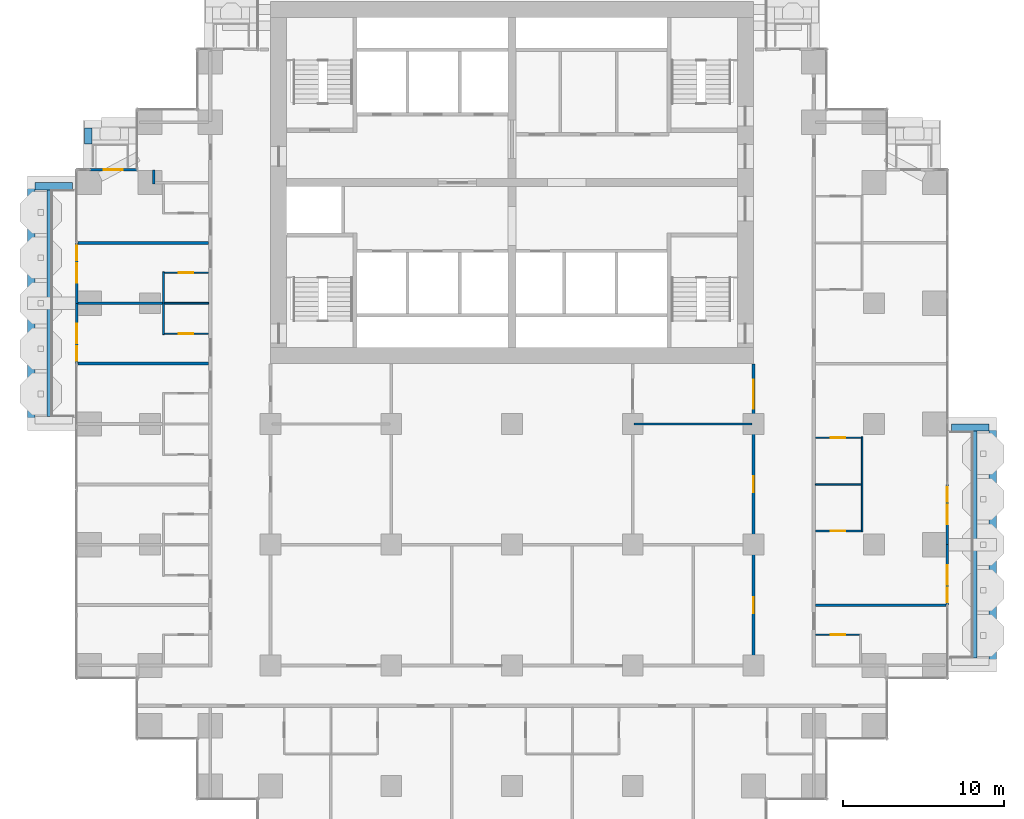
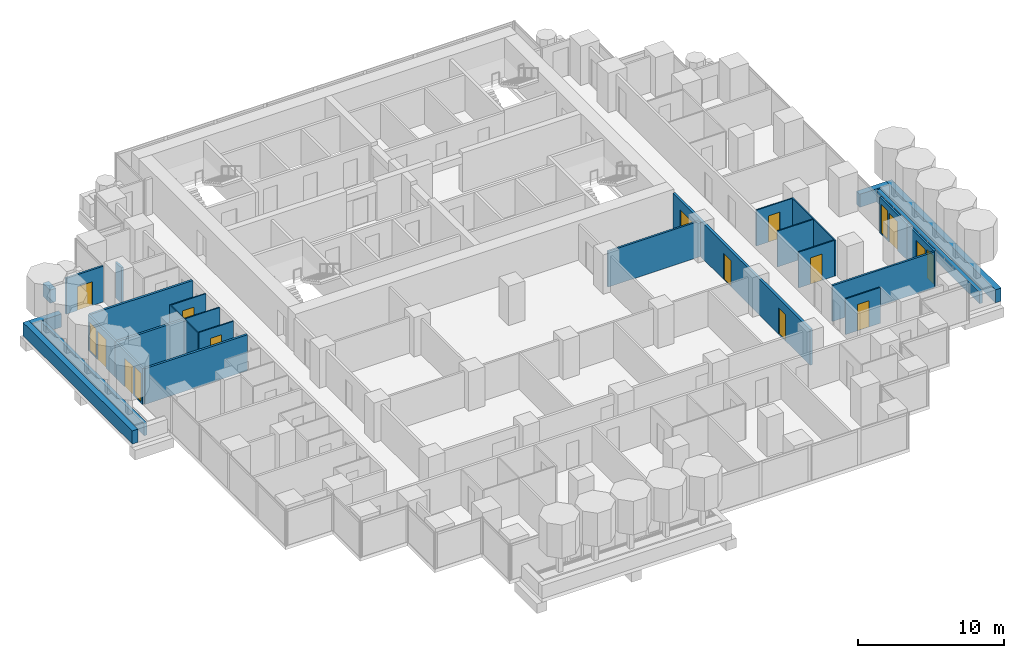
# One storey, part 12 of 18: 28 walls, 13 doors, 4 windows, 17 openings.
"""IFC4 building model written with IfcOpenShell, lengths in metres."""

from ifc_helpers import new_model, si_unit, direction, frame, frame_2d, origin, place, context, subcontext, project, spatial, rectangle, extrude, material, layer, layer_set, type_object, element, fill, save


model = new_model("IFC4")

# Units and contexts
model_context = context("Model", 3, precision=1e-05, world=origin(), true_north=direction((0.0, 1.0)))
body_context = subcontext(model_context, "Body", "Model", "MODEL_VIEW")
ifc_project = project(units=[si_unit("LENGTHUNIT", "METRE"), si_unit("AREAUNIT", "SQUARE_METRE"), si_unit("VOLUMEUNIT", "CUBIC_METRE"), si_unit("PLANEANGLEUNIT", "RADIAN"), si_unit("MASSUNIT", "GRAM", prefix="KILO")], contexts=[model_context])

# Site, building, storey
site_placement = place(None, origin())
site = spatial("IfcSite", under=ifc_project, at=site_placement, CompositionType="ELEMENT")
building_placement = place(site_placement, origin())
building = spatial("IfcBuilding", under=site, at=building_placement, Name="Pilkhan Gate Tower", CompositionType="ELEMENT")
storey_placement = place(building_placement, frame((0.0, 0.0, 75.800048828125)))
storey = spatial("IfcBuildingStorey", under=building, at=storey_placement, Name="L17", CompositionType="ELEMENT", Elevation=75.800048828125)

# Walls
ifc_material_1 = material(Name="Dense blockwork", Category="masonry")
ifc_layer_1 = layer(ifc_material_1, 0.175048828125)
ifc_layer_set_1 = layer_set([ifc_layer_1], Name="Acoustic party wall PW175")
wall_type_1 = type_object("IfcWallType", Name="Acoustic party wall PW175", PredefinedType="PARTITIONING", material=ifc_layer_set_1)
wall_1_placement = place(storey_placement, frame((48.0400390625, 71.25, 0.0), z_axis=(0.0, 0.0, 1.0), x_axis=(1.0, 0.0, 0.0)))
element("IfcWall", 1, at=wall_1_placement, inside=storey, type_object=wall_type_1, Name="Partition L17", PredefinedType="PARTITIONING", context=body_context, shape_type="SweptSolid", body=[
    extrude(rectangle(XDim=8.10986328125, YDim=0.175048828125, at=frame_2d((4.054931640625, 0.0))), origin(), (0.0, 0.0, 1.0), 3.0),
])
wall_2_placement = place(storey_placement, frame((48.0400390625, 75.0, 0.0), z_axis=(0.0, 0.0, 1.0), x_axis=(1.0, 0.0, 0.0)))
element("IfcWall", 2, at=wall_2_placement, inside=storey, type_object=wall_type_1, Name="Partition L17", PredefinedType="PARTITIONING", context=body_context, shape_type="SweptSolid", body=[
    extrude(rectangle(XDim=5.260009765625, YDim=0.175048828125, at=frame_2d((2.6298828125, 0.0))), origin(), (0.0, 0.0, 1.0), 3.0),
])
wall_3_placement = place(storey_placement, frame((48.0400390625, 78.75, 0.0), z_axis=(0.0, 0.0, 1.0), x_axis=(1.0, 0.0, 0.0)))
element("IfcWall", 3, at=wall_3_placement, inside=storey, type_object=wall_type_1, Name="Partition L17", PredefinedType="PARTITIONING", context=body_context, shape_type="SweptSolid", body=[
    extrude(rectangle(XDim=8.10986328125, YDim=0.175048828125, at=frame_2d((4.054931640625, 0.0))), origin(), (0.0, 0.0, 1.0), 3.0),
])
ifc_material_2 = material(Name="Concrete C40/50", Category="concrete")
ifc_layer_2 = layer(ifc_material_2, 0.25)
ifc_layer_set_2 = layer_set([ifc_layer_2], Name="Balcony planter BP250")
wall_type_2 = type_object("IfcWallType", Name="Balcony planter BP250", PredefinedType="USERDEFINED", material=ifc_layer_set_2)
for number, where, z_axis, x_axis, name in (
    (4, (103.77490234375, 52.949951171875, 0.0), (0.0, 0.0, 1.0), (0.0, 1.0, 0.0), "Balcony planter L17 E"),
    (5, (46.22509765625, 67.949951171875, 0.0), (0.0, 0.0, 1.0), (0.0, 1.0, 0.0), "Balcony planter L17 W"),
):
    element("IfcWall", number, at=place(storey_placement, frame(where, z_axis=z_axis, x_axis=x_axis)), inside=storey, type_object=wall_type_2, Name=name, ObjectType="BALCONY PLANTER", PredefinedType="USERDEFINED", context=body_context, shape_type="SweptSolid", body=[
        extrude(rectangle(XDim=14.10009765625, YDim=0.25, at=frame_2d((7.050048828125, 0.0))), origin(), (0.0, 0.0, 1.0), 1.0),
    ])
ifc_material_3 = material(Name="Board-marked Concrete C40/50", Category="concrete")
ifc_layer_3 = layer(ifc_material_3, 0.449951171875)
ifc_layer_set_3 = layer_set([ifc_layer_3], Name="Balcony planter lip BL450")
wall_type_3 = type_object("IfcWallType", Name="Balcony planter lip BL450", PredefinedType="USERDEFINED", material=ifc_layer_set_3)
wall_4_placement = place(storey_placement, frame((104.875, 52.5, 0.0), z_axis=(0.0, 0.0, 1.0), x_axis=(0.0, 1.0, 0.0)))
element("IfcWall", 6, at=wall_4_placement, inside=storey, type_object=wall_type_3, Name="Balcony planter L17 E", ObjectType="BALCONY PLANTER", PredefinedType="USERDEFINED", context=body_context, shape_type="SweptSolid", body=[
    extrude(rectangle(XDim=15.0, YDim=0.449951171875, at=frame_2d((7.5, 0.0))), origin(), (0.0, 0.0, 1.0), 1.099853515625),
])
wall_5_placement = place(storey_placement, frame((102.300048828125, 67.27490234375, 0.0), z_axis=(0.0, 0.0, 1.0), x_axis=(1.0, 0.0, 0.0)))
element("IfcWall", 7, at=wall_5_placement, inside=storey, type_object=wall_type_3, Name="Balcony planter L17 E", ObjectType="BALCONY PLANTER", PredefinedType="USERDEFINED", context=body_context, shape_type="SweptSolid", body=[
    extrude(rectangle(XDim=2.349853515625, YDim=0.449951171875, at=frame_2d((1.1748046875, 0.0))), origin(), (0.0, 0.0, 1.0), 1.099853515625),
])
wall_6_placement = place(storey_placement, frame((48.675048828125, 84.89990234375, 0.0), z_axis=(0.0, 0.0, 1.0), x_axis=(0.0, 1.0, 0.0)))
element("IfcWall", 8, at=wall_6_placement, inside=storey, type_object=wall_type_3, Name="Balcony planter L17 N", ObjectType="BALCONY PLANTER", PredefinedType="USERDEFINED", context=body_context, shape_type="SweptSolid", body=[
    extrude(rectangle(XDim=1.0, YDim=0.449951171875, at=frame_2d((0.5, 0.0))), origin(), (0.0, 0.0, 1.0), 1.099853515625),
])
wall_7_placement = place(storey_placement, frame((45.125, 67.5, 0.0), z_axis=(0.0, 0.0, 1.0), x_axis=(0.0, 1.0, 0.0)))
element("IfcWall", 9, at=wall_7_placement, inside=storey, type_object=wall_type_3, Name="Balcony planter L17 W", ObjectType="BALCONY PLANTER", PredefinedType="USERDEFINED", context=body_context, shape_type="SweptSolid", body=[
    extrude(rectangle(XDim=15.0, YDim=0.449951171875, at=frame_2d((7.5, 0.0))), origin(), (0.0, 0.0, 1.0), 1.099853515625),
])
wall_8_placement = place(storey_placement, frame((47.699951171875, 82.27490234375, 0.0), z_axis=(0.0, 0.0, 1.0), x_axis=(-1.0, 0.0, 0.0)))
element("IfcWall", 10, at=wall_8_placement, inside=storey, type_object=wall_type_3, Name="Balcony planter L17 W", ObjectType="BALCONY PLANTER", PredefinedType="USERDEFINED", context=body_context, shape_type="SweptSolid", body=[
    extrude(rectangle(XDim=2.349853515625, YDim=0.449951171875, at=frame_2d((1.1748046875, 0.0))), origin(), (0.0, 0.0, 1.0), 1.099853515625),
])

# Wall, openings, doors
ifc_layer_4 = layer(ifc_material_1, 0.199951171875)
ifc_layer_set_4 = layer_set([ifc_layer_4], Name="Corridor wall FW200")
wall_type_4 = type_object("IfcWallType", Name="Corridor wall FW200", PredefinedType="PARTITIONING", material=ifc_layer_set_4)
wall_9_placement = place(storey_placement, frame((90.0, 52.39990234375, 0.0), z_axis=(0.0, 0.0, 1.0), x_axis=(0.0, 1.0, 0.0)))
wall_9 = element("IfcWall", 11, at=wall_9_placement, inside=storey, type_object=wall_type_4, Name="Partition L17", PredefinedType="PARTITIONING", context=body_context, shape_type="SweptSolid", body=[
    extrude(rectangle(XDim=18.840087890625, YDim=0.199951171875, at=frame_2d((9.419921875, 0.0))), origin(), (0.0, 0.0, 1.0), 3.0),
])
opening_1_placement = place(wall_9_placement, frame((3.35009765625, 0.0, 0.0)))
opening_1 = element("IfcOpeningElement", 12, at=opening_1_placement, cuts=wall_9, Name="Opening L17-55", PredefinedType="OPENING", context=body_context, shape_type="SweptSolid", body=[
    extrude(rectangle(XDim=1.0, YDim=2.199951171875, at=frame_2d((0.5, 1.10009765625))), frame((0.0, 0.10986328125, 0.0), z_axis=(0.0, -1.0, 0.0), x_axis=(1.0, 0.0, 0.0)), (0.0, 0.0, 1.0), 0.219970703125),
])
opening_2_placement = place(wall_9_placement, frame((10.85009765625, 0.0, 0.0)))
opening_2 = element("IfcOpeningElement", 13, at=opening_2_placement, cuts=wall_9, Name="Opening L17-59", PredefinedType="OPENING", context=body_context, shape_type="SweptSolid", body=[
    extrude(rectangle(XDim=1.0, YDim=2.199951171875, at=frame_2d((0.5, 1.10009765625))), frame((0.0, 0.10986328125, 0.0), z_axis=(0.0, -1.0, 0.0), x_axis=(1.0, 0.0, 0.0)), (0.0, 0.0, 1.0), 0.219970703125),
])
opening_3_placement = place(wall_9_placement, frame((16.050048828125, 0.0, 0.0)))
opening_3 = element("IfcOpeningElement", 14, at=opening_3_placement, cuts=wall_9, Name="Opening L17-60", PredefinedType="OPENING", context=body_context, shape_type="SweptSolid", body=[
    extrude(rectangle(XDim=1.800048828125, YDim=2.199951171875, at=frame_2d((0.89990234375, 1.10009765625))), frame((0.0, 0.10986328125, 0.0), z_axis=(0.0, -1.0, 0.0), x_axis=(1.0, 0.0, 0.0)), (0.0, 0.0, 1.0), 0.219970703125),
])
ifc_material_4 = material(Name="Timber glazed double door, 30 minute fire resisting", Category="wood")
door_type_1 = type_object("IfcDoorType", Name="Double door D04 1800x2200", OperationType="DOUBLE_DOOR_SINGLE_SWING", PredefinedType="DOOR", material=ifc_material_4)
door_1_placement = place(opening_3_placement, origin())
door_1 = element("IfcDoor", 15, at=door_1_placement, inside=storey, type_object=door_type_1, Name="Double door", OperationType="DOUBLE_DOOR_SINGLE_SWING", OverallHeight=2.199951171875, OverallWidth=1.800048828125, PredefinedType="DOOR", context=body_context, shape_type="SweptSolid", body=[
    extrude(rectangle(XDim=1.800048828125, YDim=2.199951171875, at=frame_2d((0.89990234375, 1.10009765625))), frame((0.0, 0.02490234375, 0.0), z_axis=(0.0, -1.0, 0.0), x_axis=(1.0, 0.0, 0.0)), (0.0, 0.0, 1.0), 0.050048828125),
])
fill(opening_3, door_1)
ifc_material_5 = material(Name="Timber flush door, 30 minute fire resisting", Category="wood")
door_type_2 = type_object("IfcDoorType", Name="Room door D03 1000x2200", OperationType="SINGLE_SWING_LEFT", PredefinedType="DOOR", material=ifc_material_5)
door_2_placement = place(opening_1_placement, origin())
door_2 = element("IfcDoor", 16, at=door_2_placement, inside=storey, type_object=door_type_2, Name="Room door", OperationType="SINGLE_SWING_LEFT", OverallHeight=2.199951171875, OverallWidth=1.0, PredefinedType="DOOR", context=body_context, shape_type="SweptSolid", body=[
    extrude(rectangle(XDim=1.0, YDim=2.199951171875, at=frame_2d((0.5, 1.10009765625))), frame((0.0, 0.02490234375, 0.0), z_axis=(0.0, -1.0, 0.0), x_axis=(1.0, 0.0, 0.0)), (0.0, 0.0, 1.0), 0.050048828125),
])
fill(opening_1, door_2)
door_3_placement = place(opening_2_placement, origin())
door_3 = element("IfcDoor", 17, at=door_3_placement, inside=storey, type_object=door_type_2, Name="Room door", OperationType="SINGLE_SWING_RIGHT", OverallHeight=2.199951171875, OverallWidth=1.0, PredefinedType="DOOR", context=body_context, shape_type="SweptSolid", body=[
    extrude(rectangle(XDim=1.0, YDim=2.199951171875, at=frame_2d((0.5, 1.10009765625))), frame((0.0, 0.02490234375, 0.0), z_axis=(0.0, -1.0, 0.0), x_axis=(1.0, 0.0, 0.0)), (0.0, 0.0, 1.0), 0.050048828125),
])
fill(opening_2, door_3)

# Wall, openings, door, window
ifc_material_6 = material(Name="Pale anodised aluminium, clear laminated glazing", Category="aluminium")
ifc_layer_5 = layer(ifc_material_6, 0.14990234375)
ifc_layer_set_5 = layer_set([ifc_layer_5], Name="Facade infill wall IW150")
wall_type_5 = type_object("IfcWallType", Name="Facade infill wall IW150", PredefinedType="SOLIDWALL", material=ifc_layer_set_5)
wall_10_placement = place(storey_placement, frame((102.044921875, 56.25, 0.0), z_axis=(0.0, 0.0, 1.0), x_axis=(0.0, 1.0, 0.0)))
wall_10 = element("IfcWall", 18, at=wall_10_placement, inside=storey, type_object=wall_type_5, Name="Infill wall L17 E", PredefinedType="SOLIDWALL", context=body_context, shape_type="SweptSolid", body=[
    extrude(rectangle(XDim=3.75, YDim=0.14990234375, at=frame_2d((1.875, 0.0))), origin(), (0.0, 0.0, 1.0), 3.0),
])
opening_4_placement = place(wall_10_placement, frame((0.1875, 0.0, 0.10009765625)))
opening_4 = element("IfcOpeningElement", 19, at=opening_4_placement, cuts=wall_10, Name="Opening W1", PredefinedType="OPENING", context=body_context, shape_type="SweptSolid", body=[
    extrude(rectangle(XDim=0.89990234375, YDim=2.39990234375, at=frame_2d((0.449951171875, 1.199951171875))), frame((0.0, 0.0849609375, 0.0), z_axis=(0.0, -1.0, 0.0), x_axis=(1.0, 0.0, 0.0)), (0.0, 0.0, 1.0), 0.169921875),
])
opening_5_placement = place(wall_10_placement, frame((1.27490234375, 0.0, 0.0)))
opening_5 = element("IfcOpeningElement", 20, at=opening_5_placement, cuts=wall_10, Name="Opening D1", PredefinedType="OPENING", context=body_context, shape_type="SweptSolid", body=[
    extrude(rectangle(XDim=1.199951171875, YDim=2.39990234375, at=frame_2d((0.60009765625, 1.199951171875))), frame((0.0, 0.0849609375, 0.0), z_axis=(0.0, -1.0, 0.0), x_axis=(1.0, 0.0, 0.0)), (0.0, 0.0, 1.0), 0.169921875),
])
ifc_material_7 = material(Name="Pale anodised aluminium, clear glazing", Category="aluminium")
door_type_3 = type_object("IfcDoorType", Name="Balcony door D1 1200x2400", OperationType="SINGLE_SWING_LEFT", PredefinedType="DOOR", material=ifc_material_7)
door_4_placement = place(opening_5_placement, origin())
door_4 = element("IfcDoor", 21, at=door_4_placement, inside=storey, type_object=door_type_3, Name="Balcony door L17", OperationType="SINGLE_SWING_LEFT", OverallHeight=2.39990234375, OverallWidth=1.199951171875, PredefinedType="DOOR", context=body_context, shape_type="SweptSolid", body=[
    extrude(rectangle(XDim=1.199951171875, YDim=2.39990234375, at=frame_2d((0.60009765625, 1.199951171875))), frame((0.0, 0.02490234375, 0.0), z_axis=(0.0, -1.0, 0.0), x_axis=(1.0, 0.0, 0.0)), (0.0, 0.0, 1.0), 0.050048828125),
])
fill(opening_5, door_4)
ifc_material_8 = material(Name="Pale anodised aluminium, clear double glazing", Category="aluminium")
window_type = type_object("IfcWindowType", Name="Window W1 900x2400", PartitioningType="SINGLE_PANEL", PredefinedType="WINDOW", material=ifc_material_8)
window_1_placement = place(opening_4_placement, origin())
window_1 = element("IfcWindow", 22, at=window_1_placement, inside=storey, type_object=window_type, Name="Window L17", OverallHeight=2.39990234375, OverallWidth=0.89990234375, PartitioningType="SINGLE_PANEL", PredefinedType="WINDOW", context=body_context, shape_type="SweptSolid", body=[
    extrude(rectangle(XDim=0.89990234375, YDim=2.39990234375, at=frame_2d((0.449951171875, 1.199951171875))), frame((0.0, 0.030029296875, 0.0), z_axis=(0.0, -1.0, 0.0), x_axis=(1.0, 0.0, 0.0)), (0.0, 0.0, 1.0), 0.06005859375),
])
fill(opening_4, window_1)

wall_11_placement = place(storey_placement, frame((102.044921875, 60.0, 0.0), z_axis=(0.0, 0.0, 1.0), x_axis=(0.0, 1.0, 0.0)))
wall_11 = element("IfcWall", 23, at=wall_11_placement, inside=storey, type_object=wall_type_5, Name="Infill wall L17 E", PredefinedType="SOLIDWALL", context=body_context, shape_type="SweptSolid", body=[
    extrude(rectangle(XDim=3.75, YDim=0.14990234375, at=frame_2d((1.875, 0.0))), origin(), (0.0, 0.0, 1.0), 3.0),
])
opening_6_placement = place(wall_11_placement, frame((1.27490234375, 0.0, 0.0)))
opening_6 = element("IfcOpeningElement", 24, at=opening_6_placement, cuts=wall_11, Name="Opening D1", PredefinedType="OPENING", context=body_context, shape_type="SweptSolid", body=[
    extrude(rectangle(XDim=1.199951171875, YDim=2.39990234375, at=frame_2d((0.60009765625, 1.199951171875))), frame((0.0, 0.0849609375, 0.0), z_axis=(0.0, -1.0, 0.0), x_axis=(1.0, 0.0, 0.0)), (0.0, 0.0, 1.0), 0.169921875),
])
opening_7_placement = place(wall_11_placement, frame((2.66259765625, 0.0, 0.10009765625)))
opening_7 = element("IfcOpeningElement", 25, at=opening_7_placement, cuts=wall_11, Name="Opening W1", PredefinedType="OPENING", context=body_context, shape_type="SweptSolid", body=[
    extrude(rectangle(XDim=0.89990234375, YDim=2.39990234375, at=frame_2d((0.449951171875, 1.199951171875))), frame((0.0, 0.0849609375, 0.0), z_axis=(0.0, -1.0, 0.0), x_axis=(1.0, 0.0, 0.0)), (0.0, 0.0, 1.0), 0.169921875),
])
door_5_placement = place(opening_6_placement, origin())
door_5 = element("IfcDoor", 26, at=door_5_placement, inside=storey, type_object=door_type_3, Name="Balcony door L17", OperationType="SINGLE_SWING_LEFT", OverallHeight=2.39990234375, OverallWidth=1.199951171875, PredefinedType="DOOR", context=body_context, shape_type="SweptSolid", body=[
    extrude(rectangle(XDim=1.199951171875, YDim=2.39990234375, at=frame_2d((0.60009765625, 1.199951171875))), frame((0.0, 0.02490234375, 0.0), z_axis=(0.0, -1.0, 0.0), x_axis=(1.0, 0.0, 0.0)), (0.0, 0.0, 1.0), 0.050048828125),
])
fill(opening_6, door_5)
window_2_placement = place(opening_7_placement, origin())
window_2 = element("IfcWindow", 27, at=window_2_placement, inside=storey, type_object=window_type, Name="Window L17", OverallHeight=2.39990234375, OverallWidth=0.89990234375, PartitioningType="SINGLE_PANEL", PredefinedType="WINDOW", context=body_context, shape_type="SweptSolid", body=[
    extrude(rectangle(XDim=0.89990234375, YDim=2.39990234375, at=frame_2d((0.449951171875, 1.199951171875))), frame((0.0, 0.030029296875, 0.0), z_axis=(0.0, -1.0, 0.0), x_axis=(1.0, 0.0, 0.0)), (0.0, 0.0, 1.0), 0.06005859375),
])
fill(opening_7, window_2)

# Wall, opening, door
wall_12_placement = place(storey_placement, frame((48.75, 83.294921875, 0.0), z_axis=(0.0, 0.0, 1.0), x_axis=(1.0, 0.0, 0.0)))
wall_12 = element("IfcWall", 28, at=wall_12_placement, inside=storey, type_object=wall_type_5, Name="Infill wall L17 N", PredefinedType="SOLIDWALL", context=body_context, shape_type="SweptSolid", body=[
    extrude(rectangle(XDim=2.955078125, YDim=0.14990234375, at=frame_2d((1.4775390625, 0.0))), origin(), (0.0, 0.0, 1.0), 3.0),
])
opening_8_placement = place(wall_12_placement, frame((0.87744140625, 0.0, 0.0)))
opening_8 = element("IfcOpeningElement", 29, at=opening_8_placement, cuts=wall_12, Name="Opening D1L", PredefinedType="OPENING", context=body_context, shape_type="SweptSolid", body=[
    extrude(rectangle(XDim=1.199951171875, YDim=2.0, at=frame_2d((0.60009765625, 1.0))), frame((0.0, 0.0849609375, 0.0), z_axis=(0.0, -1.0, 0.0), x_axis=(1.0, 0.0, 0.0)), (0.0, 0.0, 1.0), 0.169921875),
])
door_type_4 = type_object("IfcDoorType", Name="Balcony door D1L 1200x2000", OperationType="SINGLE_SWING_LEFT", PredefinedType="DOOR", material=ifc_material_7)
door_6_placement = place(opening_8_placement, origin())
door_6 = element("IfcDoor", 30, at=door_6_placement, inside=storey, type_object=door_type_4, Name="Balcony door L17", OperationType="SINGLE_SWING_LEFT", OverallHeight=2.0, OverallWidth=1.199951171875, PredefinedType="DOOR", context=body_context, shape_type="SweptSolid", body=[
    extrude(rectangle(XDim=1.199951171875, YDim=2.0, at=frame_2d((0.60009765625, 1.0))), frame((0.0, 0.02490234375, 0.0), z_axis=(0.0, -1.0, 0.0), x_axis=(1.0, 0.0, 0.0)), (0.0, 0.0, 1.0), 0.050048828125),
])
fill(opening_8, door_6)

# Wall, openings, door, window
wall_13_placement = place(storey_placement, frame((47.955078125, 71.25, 0.0), z_axis=(0.0, 0.0, 1.0), x_axis=(0.0, 1.0, 0.0)))
wall_13 = element("IfcWall", 31, at=wall_13_placement, inside=storey, type_object=wall_type_5, Name="Infill wall L17 W", PredefinedType="SOLIDWALL", context=body_context, shape_type="SweptSolid", body=[
    extrude(rectangle(XDim=3.75, YDim=0.14990234375, at=frame_2d((1.875, 0.0))), origin(), (0.0, 0.0, 1.0), 3.0),
])
opening_9_placement = place(wall_13_placement, frame((0.1875, 0.0, 0.10009765625)))
opening_9 = element("IfcOpeningElement", 32, at=opening_9_placement, cuts=wall_13, Name="Opening W1", PredefinedType="OPENING", context=body_context, shape_type="SweptSolid", body=[
    extrude(rectangle(XDim=0.89990234375, YDim=2.39990234375, at=frame_2d((0.449951171875, 1.199951171875))), frame((0.0, 0.0849609375, 0.0), z_axis=(0.0, -1.0, 0.0), x_axis=(1.0, 0.0, 0.0)), (0.0, 0.0, 1.0), 0.169921875),
])
opening_10_placement = place(wall_13_placement, frame((1.27490234375, 0.0, 0.0)))
opening_10 = element("IfcOpeningElement", 33, at=opening_10_placement, cuts=wall_13, Name="Opening D1", PredefinedType="OPENING", context=body_context, shape_type="SweptSolid", body=[
    extrude(rectangle(XDim=1.199951171875, YDim=2.39990234375, at=frame_2d((0.60009765625, 1.199951171875))), frame((0.0, 0.0849609375, 0.0), z_axis=(0.0, -1.0, 0.0), x_axis=(1.0, 0.0, 0.0)), (0.0, 0.0, 1.0), 0.169921875),
])
door_7_placement = place(opening_10_placement, origin())
door_7 = element("IfcDoor", 34, at=door_7_placement, inside=storey, type_object=door_type_3, Name="Balcony door L17", OperationType="SINGLE_SWING_LEFT", OverallHeight=2.39990234375, OverallWidth=1.199951171875, PredefinedType="DOOR", context=body_context, shape_type="SweptSolid", body=[
    extrude(rectangle(XDim=1.199951171875, YDim=2.39990234375, at=frame_2d((0.60009765625, 1.199951171875))), frame((0.0, 0.02490234375, 0.0), z_axis=(0.0, -1.0, 0.0), x_axis=(1.0, 0.0, 0.0)), (0.0, 0.0, 1.0), 0.050048828125),
])
fill(opening_10, door_7)
window_3_placement = place(opening_9_placement, origin())
window_3 = element("IfcWindow", 35, at=window_3_placement, inside=storey, type_object=window_type, Name="Window L17", OverallHeight=2.39990234375, OverallWidth=0.89990234375, PartitioningType="SINGLE_PANEL", PredefinedType="WINDOW", context=body_context, shape_type="SweptSolid", body=[
    extrude(rectangle(XDim=0.89990234375, YDim=2.39990234375, at=frame_2d((0.449951171875, 1.199951171875))), frame((0.0, 0.030029296875, 0.0), z_axis=(0.0, -1.0, 0.0), x_axis=(1.0, 0.0, 0.0)), (0.0, 0.0, 1.0), 0.06005859375),
])
fill(opening_9, window_3)

wall_14_placement = place(storey_placement, frame((47.955078125, 75.0, 0.0), z_axis=(0.0, 0.0, 1.0), x_axis=(0.0, 1.0, 0.0)))
wall_14 = element("IfcWall", 36, at=wall_14_placement, inside=storey, type_object=wall_type_5, Name="Infill wall L17 W", PredefinedType="SOLIDWALL", context=body_context, shape_type="SweptSolid", body=[
    extrude(rectangle(XDim=3.75, YDim=0.14990234375, at=frame_2d((1.875, 0.0))), origin(), (0.0, 0.0, 1.0), 3.0),
])
opening_11_placement = place(wall_14_placement, frame((1.27490234375, 0.0, 0.0)))
opening_11 = element("IfcOpeningElement", 37, at=opening_11_placement, cuts=wall_14, Name="Opening D1", PredefinedType="OPENING", context=body_context, shape_type="SweptSolid", body=[
    extrude(rectangle(XDim=1.199951171875, YDim=2.39990234375, at=frame_2d((0.60009765625, 1.199951171875))), frame((0.0, 0.0849609375, 0.0), z_axis=(0.0, -1.0, 0.0), x_axis=(1.0, 0.0, 0.0)), (0.0, 0.0, 1.0), 0.169921875),
])
opening_12_placement = place(wall_14_placement, frame((2.66259765625, 0.0, 0.10009765625)))
opening_12 = element("IfcOpeningElement", 38, at=opening_12_placement, cuts=wall_14, Name="Opening W1", PredefinedType="OPENING", context=body_context, shape_type="SweptSolid", body=[
    extrude(rectangle(XDim=0.89990234375, YDim=2.39990234375, at=frame_2d((0.449951171875, 1.199951171875))), frame((0.0, 0.0849609375, 0.0), z_axis=(0.0, -1.0, 0.0), x_axis=(1.0, 0.0, 0.0)), (0.0, 0.0, 1.0), 0.169921875),
])
door_8_placement = place(opening_11_placement, origin())
door_8 = element("IfcDoor", 39, at=door_8_placement, inside=storey, type_object=door_type_3, Name="Balcony door L17", OperationType="SINGLE_SWING_LEFT", OverallHeight=2.39990234375, OverallWidth=1.199951171875, PredefinedType="DOOR", context=body_context, shape_type="SweptSolid", body=[
    extrude(rectangle(XDim=1.199951171875, YDim=2.39990234375, at=frame_2d((0.60009765625, 1.199951171875))), frame((0.0, 0.02490234375, 0.0), z_axis=(0.0, -1.0, 0.0), x_axis=(1.0, 0.0, 0.0)), (0.0, 0.0, 1.0), 0.050048828125),
])
fill(opening_11, door_8)
window_4_placement = place(opening_12_placement, origin())
window_4 = element("IfcWindow", 40, at=window_4_placement, inside=storey, type_object=window_type, Name="Window L17", OverallHeight=2.39990234375, OverallWidth=0.89990234375, PartitioningType="SINGLE_PANEL", PredefinedType="WINDOW", context=body_context, shape_type="SweptSolid", body=[
    extrude(rectangle(XDim=0.89990234375, YDim=2.39990234375, at=frame_2d((0.449951171875, 1.199951171875))), frame((0.0, 0.030029296875, 0.0), z_axis=(0.0, -1.0, 0.0), x_axis=(1.0, 0.0, 0.0)), (0.0, 0.0, 1.0), 0.06005859375),
])
fill(opening_12, window_4)

# Walls
ifc_material_9 = material(Name="Blockwork partition, plastered both sides", Category="masonry")
ifc_layer_6 = layer(ifc_material_9, 0.14990234375)
ifc_layer_set_6 = layer_set([ifc_layer_6], Name="Partition PW150")
wall_type_6 = type_object("IfcWallType", Name="Partition PW150", PredefinedType="PARTITIONING", material=ifc_layer_set_6)
wall_15_placement = place(storey_placement, frame((93.85009765625, 56.25, 0.0), z_axis=(0.0, 0.0, 1.0), x_axis=(1.0, 0.0, 0.0)))
element("IfcWall", 41, at=wall_15_placement, inside=storey, type_object=wall_type_6, Name="Partition L17", PredefinedType="PARTITIONING", context=body_context, shape_type="SweptSolid", body=[
    extrude(rectangle(XDim=8.10986328125, YDim=0.14990234375, at=frame_2d((4.054931640625, 0.0))), origin(), (0.0, 0.0, 1.0), 3.0),
])
wall_16_placement = place(storey_placement, frame((82.574951171875, 67.5, 0.0), z_axis=(0.0, 0.0, 1.0), x_axis=(1.0, 0.0, 0.0)))
element("IfcWall", 42, at=wall_16_placement, inside=storey, type_object=wall_type_6, Name="Partition L17", PredefinedType="PARTITIONING", context=body_context, shape_type="SweptSolid", body=[
    extrude(rectangle(XDim=7.324951171875, YDim=0.14990234375, at=frame_2d((3.66259765625, 0.0))), origin(), (0.0, 0.0, 1.0), 3.0),
])
wall_17_placement = place(storey_placement, frame((52.735107421875, 82.425048828125, 0.0), z_axis=(0.0, 0.0, 1.0), x_axis=(0.0, 1.0, 0.0)))
element("IfcWall", 43, at=wall_17_placement, inside=storey, type_object=wall_type_6, Name="Partition L17", PredefinedType="PARTITIONING", context=body_context, shape_type="SweptSolid", body=[
    extrude(rectangle(XDim=0.83984375, YDim=0.14990234375, at=frame_2d((0.419921875, 0.0))), origin(), (0.0, 0.0, 1.0), 3.0),
])

# Wall, opening, door
ifc_material_10 = material(Name="Moisture resistant board, tiled")
ifc_layer_7 = layer(ifc_material_10, 0.10009765625)
ifc_layer_set_7 = layer_set([ifc_layer_7], Name="Wet wall PW100")
wall_type_7 = type_object("IfcWallType", Name="Wet wall PW100", PredefinedType="PARTITIONING", material=ifc_layer_set_7)
wall_18_placement = place(storey_placement, frame((93.85009765625, 54.39990234375, 0.0), z_axis=(0.0, 0.0, 1.0), x_axis=(1.0, 0.0, 0.0)))
wall_18 = element("IfcWall", 44, at=wall_18_placement, inside=storey, type_object=wall_type_7, Name="Partition L17", PredefinedType="PARTITIONING", context=body_context, shape_type="SweptSolid", body=[
    extrude(rectangle(XDim=2.75, YDim=0.10009765625, at=frame_2d((1.375, 0.0))), origin(), (0.0, 0.0, 1.0), 3.0),
])
opening_13_placement = place(wall_18_placement, frame((0.949951171875, 0.0, 0.0)))
opening_13 = element("IfcOpeningElement", 45, at=opening_13_placement, cuts=wall_18, Name="Opening L17-33", PredefinedType="OPENING", context=body_context, shape_type="SweptSolid", body=[
    extrude(rectangle(XDim=0.89990234375, YDim=2.199951171875, at=frame_2d((0.449951171875, 1.10009765625))), frame((0.0, 0.06005859375, 0.0), z_axis=(0.0, -1.0, 0.0), x_axis=(1.0, 0.0, 0.0)), (0.0, 0.0, 1.0), 0.1201171875),
])
ifc_material_11 = material(Name="Timber flush door", Category="wood")
door_type_5 = type_object("IfcDoorType", Name="Bathroom door D02 900x2200", OperationType="SINGLE_SWING_RIGHT", PredefinedType="DOOR", material=ifc_material_11)
door_9_placement = place(opening_13_placement, origin())
door_9 = element("IfcDoor", 46, at=door_9_placement, inside=storey, type_object=door_type_5, Name="Bathroom door", OperationType="SINGLE_SWING_RIGHT", OverallHeight=2.199951171875, OverallWidth=0.89990234375, PredefinedType="DOOR", context=body_context, shape_type="SweptSolid", body=[
    extrude(rectangle(XDim=0.89990234375, YDim=2.199951171875, at=frame_2d((0.449951171875, 1.10009765625))), frame((0.0, 0.02490234375, 0.0), z_axis=(0.0, -1.0, 0.0), x_axis=(1.0, 0.0, 0.0)), (0.0, 0.0, 1.0), 0.050048828125),
])
fill(opening_13, door_9)

wall_19_placement = place(storey_placement, frame((93.85009765625, 60.85009765625, 0.0), z_axis=(0.0, 0.0, 1.0), x_axis=(1.0, 0.0, 0.0)))
wall_19 = element("IfcWall", 47, at=wall_19_placement, inside=storey, type_object=wall_type_7, Name="Partition L17", PredefinedType="PARTITIONING", context=body_context, shape_type="SweptSolid", body=[
    extrude(rectangle(XDim=2.849853515625, YDim=0.10009765625, at=frame_2d((1.4248046875, 0.0))), origin(), (0.0, 0.0, 1.0), 3.0),
])
opening_14_placement = place(wall_19_placement, frame((0.949951171875, 0.0, 0.0)))
opening_14 = element("IfcOpeningElement", 48, at=opening_14_placement, cuts=wall_19, Name="Opening L17-35", PredefinedType="OPENING", context=body_context, shape_type="SweptSolid", body=[
    extrude(rectangle(XDim=0.89990234375, YDim=2.199951171875, at=frame_2d((0.449951171875, 1.10009765625))), frame((0.0, 0.06005859375, 0.0), z_axis=(0.0, -1.0, 0.0), x_axis=(1.0, 0.0, 0.0)), (0.0, 0.0, 1.0), 0.1201171875),
])
door_10_placement = place(opening_14_placement, origin())
door_10 = element("IfcDoor", 49, at=door_10_placement, inside=storey, type_object=door_type_5, Name="Bathroom door", OperationType="SINGLE_SWING_RIGHT", OverallHeight=2.199951171875, OverallWidth=0.89990234375, PredefinedType="DOOR", context=body_context, shape_type="SweptSolid", body=[
    extrude(rectangle(XDim=0.89990234375, YDim=2.199951171875, at=frame_2d((0.449951171875, 1.10009765625))), frame((0.0, 0.02490234375, 0.0), z_axis=(0.0, -1.0, 0.0), x_axis=(1.0, 0.0, 0.0)), (0.0, 0.0, 1.0), 0.050048828125),
])
fill(opening_14, door_10)

# Wall
wall_20_placement = place(storey_placement, frame((93.85009765625, 63.75, 0.0), z_axis=(0.0, 0.0, 1.0), x_axis=(1.0, 0.0, 0.0)))
element("IfcWall", 50, at=wall_20_placement, inside=storey, type_object=wall_type_7, Name="Partition L17", PredefinedType="PARTITIONING", context=body_context, shape_type="SweptSolid", body=[
    extrude(rectangle(XDim=2.849853515625, YDim=0.10009765625, at=frame_2d((1.4248046875, 0.0))), origin(), (0.0, 0.0, 1.0), 3.0),
])

# Wall, opening, door
wall_21_placement = place(storey_placement, frame((93.85009765625, 66.64990234375, 0.0), z_axis=(0.0, 0.0, 1.0), x_axis=(1.0, 0.0, 0.0)))
wall_21 = element("IfcWall", 51, at=wall_21_placement, inside=storey, type_object=wall_type_7, Name="Partition L17", PredefinedType="PARTITIONING", context=body_context, shape_type="SweptSolid", body=[
    extrude(rectangle(XDim=2.849853515625, YDim=0.10009765625, at=frame_2d((1.4248046875, 0.0))), origin(), (0.0, 0.0, 1.0), 3.0),
])
opening_15_placement = place(wall_21_placement, frame((0.949951171875, 0.0, 0.0)))
opening_15 = element("IfcOpeningElement", 52, at=opening_15_placement, cuts=wall_21, Name="Opening L17-37", PredefinedType="OPENING", context=body_context, shape_type="SweptSolid", body=[
    extrude(rectangle(XDim=0.89990234375, YDim=2.199951171875, at=frame_2d((0.449951171875, 1.10009765625))), frame((0.0, 0.06005859375, 0.0), z_axis=(0.0, -1.0, 0.0), x_axis=(1.0, 0.0, 0.0)), (0.0, 0.0, 1.0), 0.1201171875),
])
door_11_placement = place(opening_15_placement, origin())
door_11 = element("IfcDoor", 53, at=door_11_placement, inside=storey, type_object=door_type_5, Name="Bathroom door", OperationType="SINGLE_SWING_RIGHT", OverallHeight=2.199951171875, OverallWidth=0.89990234375, PredefinedType="DOOR", context=body_context, shape_type="SweptSolid", body=[
    extrude(rectangle(XDim=0.89990234375, YDim=2.199951171875, at=frame_2d((0.449951171875, 1.10009765625))), frame((0.0, 0.02490234375, 0.0), z_axis=(0.0, -1.0, 0.0), x_axis=(1.0, 0.0, 0.0)), (0.0, 0.0, 1.0), 0.050048828125),
])
fill(opening_15, door_11)

wall_22_placement = place(storey_placement, frame((53.39990234375, 73.10009765625, 0.0), z_axis=(0.0, 0.0, 1.0), x_axis=(1.0, 0.0, 0.0)))
wall_22 = element("IfcWall", 54, at=wall_22_placement, inside=storey, type_object=wall_type_7, Name="Partition L17", PredefinedType="PARTITIONING", context=body_context, shape_type="SweptSolid", body=[
    extrude(rectangle(XDim=2.75, YDim=0.10009765625, at=frame_2d((1.375, 0.0))), origin(), (0.0, 0.0, 1.0), 3.0),
])
opening_16_placement = place(wall_22_placement, frame((0.89990234375, 0.0, 0.0)))
opening_16 = element("IfcOpeningElement", 55, at=opening_16_placement, cuts=wall_22, Name="Opening L17-27", PredefinedType="OPENING", context=body_context, shape_type="SweptSolid", body=[
    extrude(rectangle(XDim=0.89990234375, YDim=2.199951171875, at=frame_2d((0.449951171875, 1.10009765625))), frame((0.0, 0.06005859375, 0.0), z_axis=(0.0, -1.0, 0.0), x_axis=(1.0, 0.0, 0.0)), (0.0, 0.0, 1.0), 0.1201171875),
])
door_12_placement = place(opening_16_placement, origin())
door_12 = element("IfcDoor", 56, at=door_12_placement, inside=storey, type_object=door_type_5, Name="Bathroom door", OperationType="SINGLE_SWING_RIGHT", OverallHeight=2.199951171875, OverallWidth=0.89990234375, PredefinedType="DOOR", context=body_context, shape_type="SweptSolid", body=[
    extrude(rectangle(XDim=0.89990234375, YDim=2.199951171875, at=frame_2d((0.449951171875, 1.10009765625))), frame((0.0, 0.02490234375, 0.0), z_axis=(0.0, -1.0, 0.0), x_axis=(1.0, 0.0, 0.0)), (0.0, 0.0, 1.0), 0.050048828125),
])
fill(opening_16, door_12)

# Wall
wall_23_placement = place(storey_placement, frame((53.39990234375, 75.0, 0.0), z_axis=(0.0, 0.0, 1.0), x_axis=(1.0, 0.0, 0.0)))
element("IfcWall", 57, at=wall_23_placement, inside=storey, type_object=wall_type_7, Name="Partition L17", PredefinedType="PARTITIONING", context=body_context, shape_type="SweptSolid", body=[
    extrude(rectangle(XDim=2.75, YDim=0.10009765625, at=frame_2d((1.375, 0.0))), origin(), (0.0, 0.0, 1.0), 3.0),
])

# Wall, opening, door
wall_24_placement = place(storey_placement, frame((53.39990234375, 76.89990234375, 0.0), z_axis=(0.0, 0.0, 1.0), x_axis=(1.0, 0.0, 0.0)))
wall_24 = element("IfcWall", 58, at=wall_24_placement, inside=storey, type_object=wall_type_7, Name="Partition L17", PredefinedType="PARTITIONING", context=body_context, shape_type="SweptSolid", body=[
    extrude(rectangle(XDim=2.75, YDim=0.10009765625, at=frame_2d((1.375, 0.0))), origin(), (0.0, 0.0, 1.0), 3.0),
])
opening_17_placement = place(wall_24_placement, frame((0.89990234375, 0.0, 0.0)))
opening_17 = element("IfcOpeningElement", 59, at=opening_17_placement, cuts=wall_24, Name="Opening L17-29", PredefinedType="OPENING", context=body_context, shape_type="SweptSolid", body=[
    extrude(rectangle(XDim=0.89990234375, YDim=2.199951171875, at=frame_2d((0.449951171875, 1.10009765625))), frame((0.0, 0.06005859375, 0.0), z_axis=(0.0, -1.0, 0.0), x_axis=(1.0, 0.0, 0.0)), (0.0, 0.0, 1.0), 0.1201171875),
])
door_13_placement = place(opening_17_placement, origin())
door_13 = element("IfcDoor", 60, at=door_13_placement, inside=storey, type_object=door_type_5, Name="Bathroom door", OperationType="SINGLE_SWING_RIGHT", OverallHeight=2.199951171875, OverallWidth=0.89990234375, PredefinedType="DOOR", context=body_context, shape_type="SweptSolid", body=[
    extrude(rectangle(XDim=0.89990234375, YDim=2.199951171875, at=frame_2d((0.449951171875, 1.10009765625))), frame((0.0, 0.02490234375, 0.0), z_axis=(0.0, -1.0, 0.0), x_axis=(1.0, 0.0, 0.0)), (0.0, 0.0, 1.0), 0.050048828125),
])
fill(opening_17, door_13)

# Walls
wall_25_placement = place(storey_placement, frame((53.35009765625, 73.050048828125, 0.0), z_axis=(0.0, 0.0, 1.0), x_axis=(0.0, 1.0, 0.0)))
element("IfcWall", 61, at=wall_25_placement, inside=storey, type_object=wall_type_7, Name="Partition L17", PredefinedType="PARTITIONING", context=body_context, shape_type="SweptSolid", body=[
    extrude(rectangle(XDim=3.89990234375, YDim=0.10009765625, at=frame_2d((1.949951171875, 0.0))), origin(), (0.0, 0.0, 1.0), 3.0),
])
wall_26_placement = place(storey_placement, frame((96.75, 60.800048828125, 0.0), z_axis=(0.0, 0.0, 1.0), x_axis=(0.0, 1.0, 0.0)))
element("IfcWall", 62, at=wall_26_placement, inside=storey, type_object=wall_type_7, Name="Partition L17", PredefinedType="PARTITIONING", context=body_context, shape_type="SweptSolid", body=[
    extrude(rectangle(XDim=5.89990234375, YDim=0.10009765625, at=frame_2d((2.949951171875, 0.0))), origin(), (0.0, 0.0, 1.0), 3.0),
])

save(model, "model.ifc")
